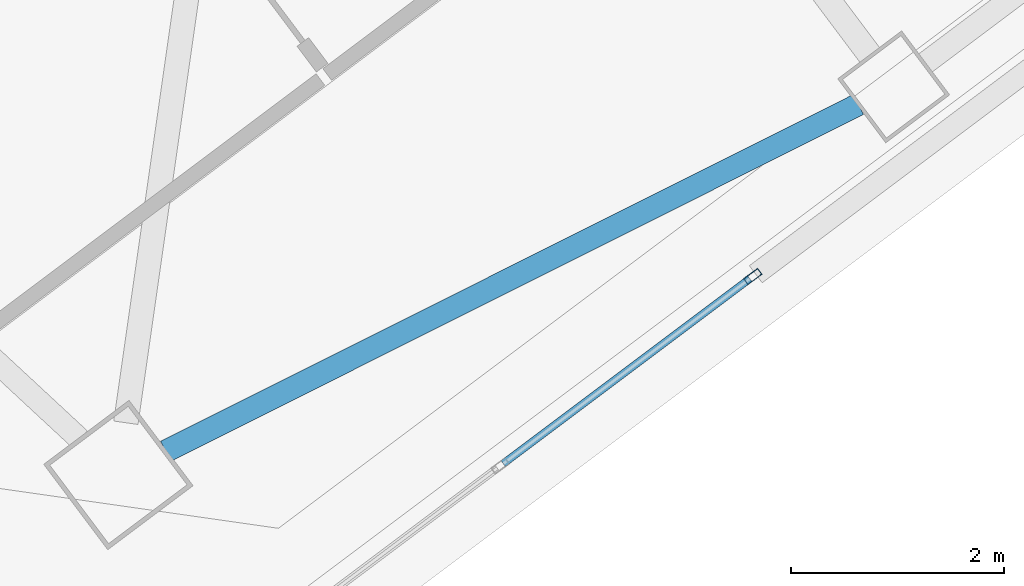
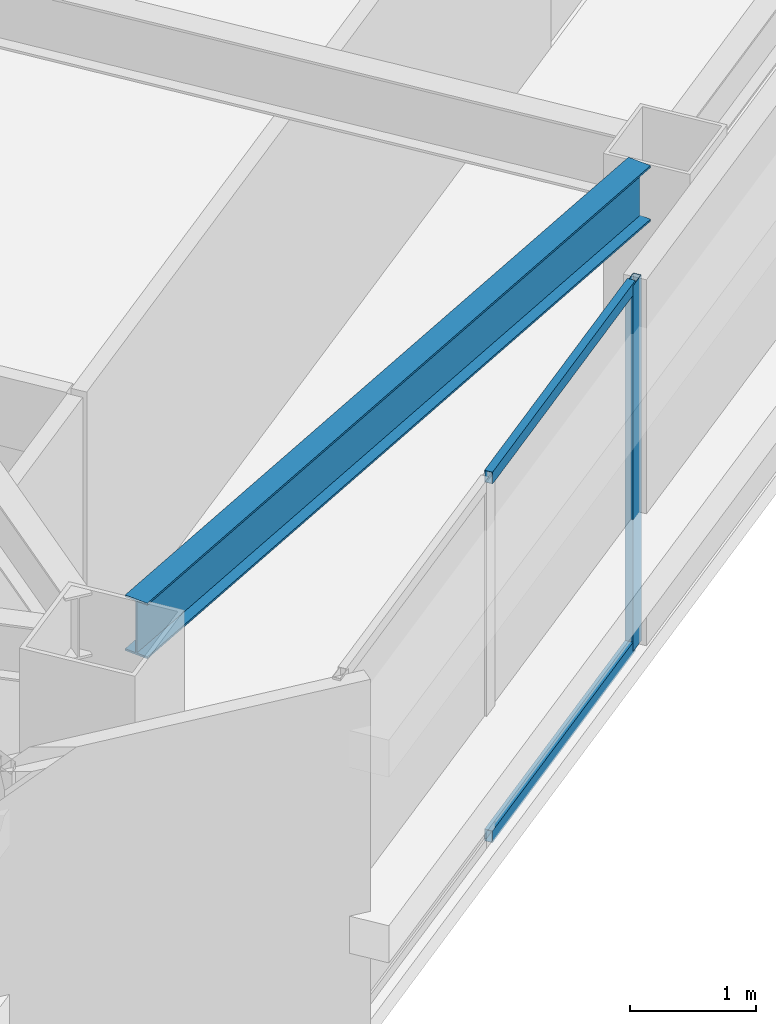
# One storey, part 20 of 44: 3 members, 1 beam, 1 element without a shape of its own.
"""IFC4 building model written with IfcOpenShell, lengths in metres."""

from ifc_helpers import new_model, si_unit, direction, frame, origin, origin_2d, place, context, subcontext, project, spatial, hollow_rectangle, i_section, extrude, material, material_profile, profile_set, type_object, element, aggregate, save


model = new_model("IFC4")

# Units and contexts
model_context = context("Model", 3, precision=1e-05, world=origin(), true_north=direction((0.0, 1.0)))
body_context = subcontext(model_context, "Body", "Model", "MODEL_VIEW")
ifc_project = project(units=[si_unit("LENGTHUNIT", "METRE"), si_unit("AREAUNIT", "SQUARE_METRE"), si_unit("VOLUMEUNIT", "CUBIC_METRE"), si_unit("PLANEANGLEUNIT", "RADIAN"), si_unit("MASSUNIT", "GRAM", prefix="KILO")], contexts=[model_context])

# Site, building, storey
site_placement = place(None, origin())
site = spatial("IfcSite", under=ifc_project, at=site_placement, CompositionType="ELEMENT")
building_placement = place(site_placement, origin())
building = spatial("IfcBuilding", under=site, at=building_placement, Name="Tashvorn Skyway Center", CompositionType="ELEMENT")
storey_placement = place(building_placement, frame((0.0, 0.0, 211.300048828125)))
storey = spatial("IfcBuildingStorey", under=building, at=storey_placement, Name="L57", CompositionType="ELEMENT", Elevation=211.300048828125)

# Beam
ifc_material_1 = material(Name="Steel ASTM A992 Grade 50", Category="steel")
ifc_material_profile_1 = material_profile(ifc_material_1, i_section(OverallWidth=0.2109375, OverallDepth=0.5390625, WebThickness=0.01171875, FlangeThickness=0.018798828125, at=origin_2d()), Name="W21X73")
ifc_profile_set_1 = profile_set([ifc_material_profile_1], Name="Steel ASTM A992 Grade 50")
beam_type = type_object("IfcBeamType", Name="BM-SPANDREL-W21X73", PredefinedType="SPANDREL", material=ifc_profile_set_1)
beam_placement = place(storey_placement, frame((111.7626953125, 13.461669921875, 3.100341796875), z_axis=(0.894178380472, 0.447710870872, 0.0), x_axis=(-0.447710870872, 0.894178380472, 0.0)))
element("IfcBeam", 1, at=beam_placement, inside=storey, type_object=beam_type, Name="Tower 2 L57 Spandrel Beam 01", PredefinedType="SPANDREL", context=body_context, shape_type="SweptSolid", body=[
    extrude(i_section(OverallWidth=0.2109375, OverallDepth=0.5390625, WebThickness=0.01171875, FlangeThickness=0.018798828125, at=origin_2d()), origin(), (0.0, 0.0, 1.0), 7.26513671875),
])

# Curtain wall, members
ifc_material_2 = material(Name="Thermally broken bronze-anodized aluminium 6063-T6", Category="aluminium")
curtain_wall_type = type_object("IfcCurtainWallType", Name="CW-CW-Z5", PredefinedType="NOTDEFINED", material=ifc_material_2)
curtain_wall_placement = place(storey_placement, origin())
curtain_wall = element("IfcCurtainWall", 2, at=curtain_wall_placement, inside=storey, type_object=curtain_wall_type, Name="Tower 2 L57 South Unitised Curtain Wall Glazing Group 3", PredefinedType="NOTDEFINED")
ifc_material_profile_2 = material_profile(ifc_material_2, hollow_rectangle(XDim=0.070068359375, YDim=0.1650390625, WallThickness=0.00390625, at=origin_2d()), Name="ALU-MULL-70x165")
ifc_profile_set_2 = profile_set([ifc_material_profile_2], Name="Thermally broken bronze-anodized aluminium 6063-T6")
member_type_1 = type_object("IfcMemberType", Name="CWM-CW-Z5", PredefinedType="MULLION", material=ifc_profile_set_2)
member_1_placement = place(storey_placement, frame((117.268798828125, 15.101806640625, 0.0), z_axis=(0.0, 0.0, 1.0), x_axis=(0.600002670604, -0.79999799704, 0.0)))
member_1 = element("IfcMember", 3, at=member_1_placement, type_object=member_type_1, Name="CW-Z5 mullion 1", PredefinedType="MULLION", context=body_context, shape_type="SweptSolid", body=[
    extrude(hollow_rectangle(XDim=0.070068359375, YDim=0.1650390625, WallThickness=0.00390625, at=origin_2d()), origin(), (0.0, 0.0, 1.0), 3.550048828125),
])
ifc_material_profile_3 = material_profile(ifc_material_2, hollow_rectangle(XDim=0.070068359375, YDim=0.114990234375, WallThickness=0.00390625, at=origin_2d()), Name="ALU-TRAN-70x115")
ifc_profile_set_3 = profile_set([ifc_material_profile_3], Name="Thermally broken bronze-anodized aluminium 6063-T6")
member_type_2 = type_object("IfcMemberType", Name="CWT-CW-Z5", PredefinedType="USERDEFINED", material=ifc_profile_set_3)
member_2_placement = place(storey_placement, frame((117.240966796875, 15.080810546875, 0.034912109375), z_axis=(-0.8, -0.6, 0.0), x_axis=(0.6, -0.8, 0.0)))
member_2 = element("IfcMember", 4, at=member_2_placement, type_object=member_type_2, Name="CW-Z5 transom 1.1", ObjectType="TRANSOM", PredefinedType="USERDEFINED", context=body_context, shape_type="SweptSolid", body=[
    extrude(hollow_rectangle(XDim=0.070068359375, YDim=0.114990234375, WallThickness=0.00390625, at=origin_2d()), origin(), (0.0, 0.0, 1.0), 2.890625),
])
member_3_placement = place(storey_placement, frame((117.240966796875, 15.080810546875, 3.514892578125), z_axis=(-0.8, -0.6, 0.0), x_axis=(0.6, -0.8, 0.0)))
member_3 = element("IfcMember", 5, at=member_3_placement, type_object=member_type_2, Name="CW-Z5 transom 1.2", ObjectType="TRANSOM", PredefinedType="USERDEFINED", context=body_context, shape_type="SweptSolid", body=[
    extrude(hollow_rectangle(XDim=0.070068359375, YDim=0.114990234375, WallThickness=0.00390625, at=origin_2d()), origin(), (0.0, 0.0, 1.0), 2.890625),
])
aggregate(curtain_wall, [member_1, member_2, member_3])

save(model, "model.ifc")
